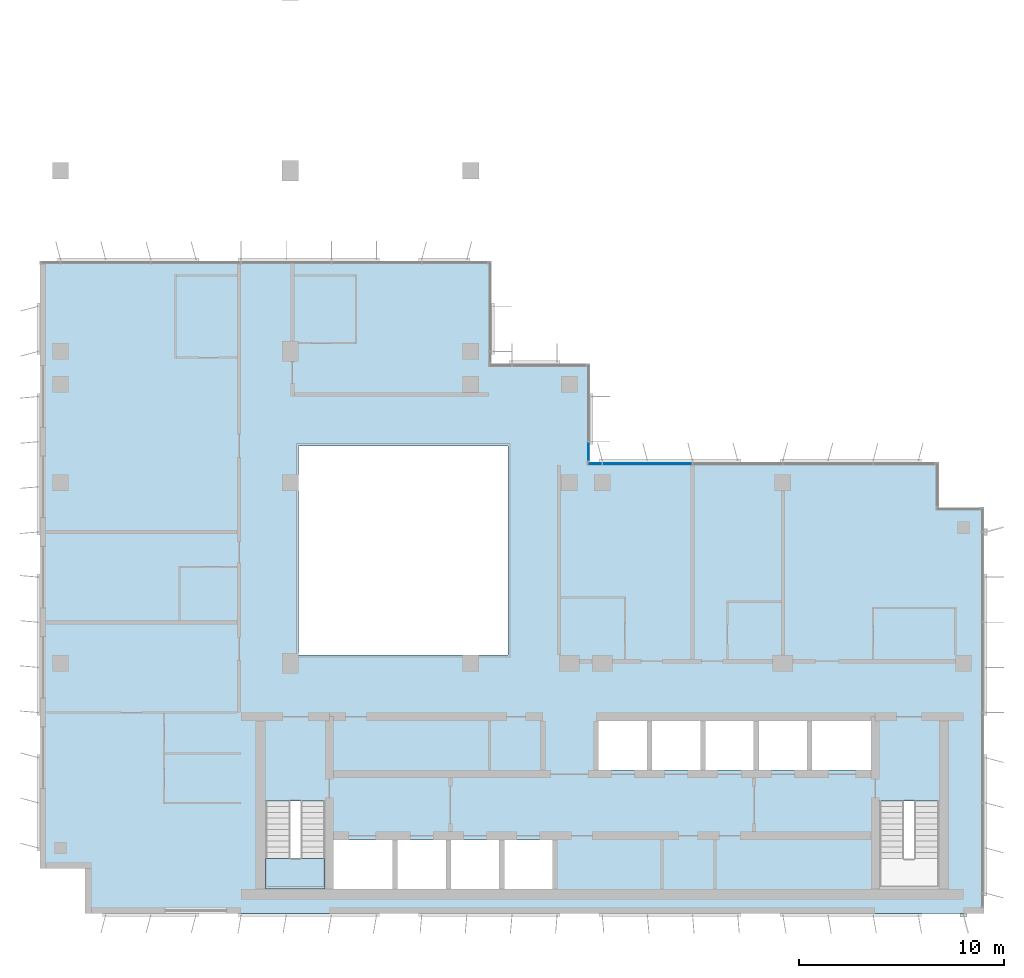
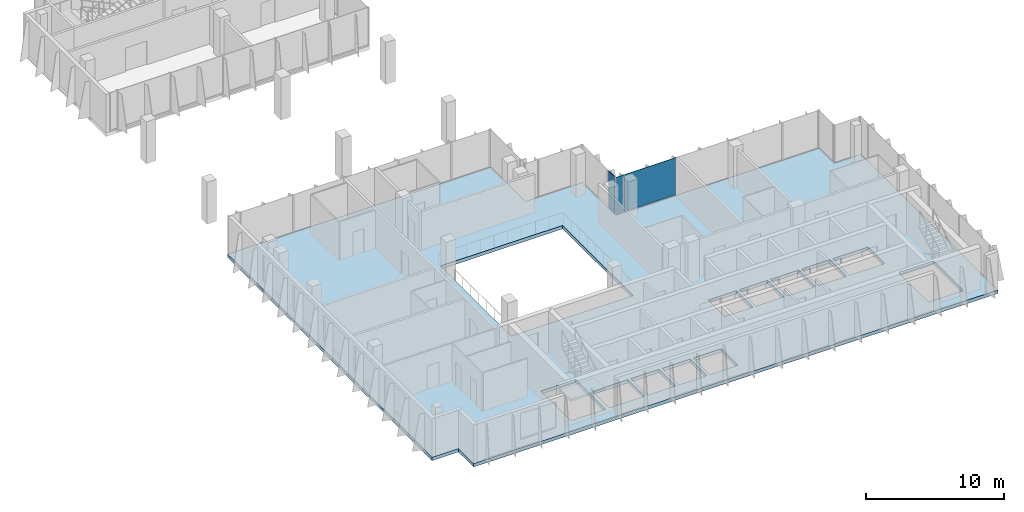
# One storey, part 6 of 14: 3 plates, 2 slabs, 3 elements without a shape of their own.
"""IFC4 building model written with IfcOpenShell, lengths in metres."""

from ifc_helpers import new_model, si_unit, direction, frame, origin, origin_2d, place, context, subcontext, project, spatial, polyline, rectangle, outline, extrude, source, transform, mapped, material, layer, layer_set, type_object, element, aggregate, save


model = new_model("IFC4")

# Units and contexts
model_context = context("Model", 3, precision=1e-05, world=origin(), true_north=direction((0.0, 1.0)))
body_context = subcontext(model_context, "Body", "Model", "MODEL_VIEW")
ifc_project = project(units=[si_unit("LENGTHUNIT", "METRE"), si_unit("AREAUNIT", "SQUARE_METRE"), si_unit("VOLUMEUNIT", "CUBIC_METRE"), si_unit("PLANEANGLEUNIT", "RADIAN"), si_unit("MASSUNIT", "GRAM", prefix="KILO")], contexts=[model_context])

# Site, building, storey
site_placement = place(None, origin())
site = spatial("IfcSite", under=ifc_project, at=site_placement, CompositionType="ELEMENT")
building_placement = place(site_placement, origin())
building = spatial("IfcBuilding", under=site, at=building_placement, Name="Kemantara Hotel Tower", CompositionType="ELEMENT")
storey_placement = place(building_placement, frame((0.0, 0.0, 245.0)))
storey = spatial("IfcBuildingStorey", under=building, at=storey_placement, Name="L61", CompositionType="ELEMENT", Elevation=245.0)

# Slab
ifc_material_1 = material(Name="Concrete fc 40 MPa", Category="concrete")
ifc_layer_1 = layer(ifc_material_1, 0.300048828125)
ifc_layer_set_1 = layer_set([ifc_layer_1], Name="Concrete fc 40 MPa")
slab_type_1 = type_object("IfcSlabType", Name="POST-TENSIONED FLAT PLATE 300", PredefinedType="FLOOR", material=ifc_layer_set_1)
slab_1_placement = place(storey_placement, frame((0.0, 0.0, -0.300048828125)))
element("IfcSlab", 1, at=slab_1_placement, inside=storey, type_object=slab_type_1, Name="FLOOR SLAB L61", PredefinedType="FLOOR", context=body_context, shape_type="SweptSolid", body=[
    extrude(outline(polyline([(26.800048828125, 22.0), (26.800048828125, 26.800048828125), (22.0, 26.800048828125), (22.0, 31.800048828125), (0.0, 31.800048828125), (0.0, 2.199951171875), (2.199951171875, 2.199951171875), (2.199951171875, 0.0), (46.0, 0.0), (46.0, 19.800048828125), (43.800048828125, 19.800048828125), (43.800048828125, 22.0), (26.800048828125, 22.0)]), holes=[polyline([(17.175048828125, 3.60009765625), (17.175048828125, 1.199951171875), (14.22509765625, 1.199951171875), (14.22509765625, 3.60009765625), (17.175048828125, 3.60009765625)]), polyline([(19.77490234375, 1.199951171875), (17.425048828125, 1.199951171875), (17.425048828125, 3.60009765625), (19.77490234375, 3.60009765625), (19.77490234375, 1.199951171875)]), polyline([(22.375, 1.199951171875), (20.02490234375, 1.199951171875), (20.02490234375, 3.60009765625), (22.375, 3.60009765625), (22.375, 1.199951171875)]), polyline([(24.97509765625, 3.60009765625), (24.97509765625, 1.199951171875), (22.625, 1.199951171875), (22.625, 3.60009765625), (24.97509765625, 3.60009765625)]), polyline([(11.0, 1.199951171875), (11.0, 5.49951171875), (13.89990234375, 5.49951171875), (13.89990234375, 1.199951171875), (11.0, 1.199951171875)]), polyline([(22.800048828125, 12.60009765625), (12.60009765625, 12.60009765625), (12.60009765625, 22.800048828125), (22.800048828125, 22.800048828125), (22.800048828125, 12.60009765625)]), polyline([(40.89990234375, 1.199951171875), (40.89990234375, 5.49951171875), (43.800048828125, 5.49951171875), (43.800048828125, 1.199951171875), (40.89990234375, 1.199951171875)]), polyline([(29.574951171875, 7.0), (27.22509765625, 7.0), (27.22509765625, 9.39990234375), (29.574951171875, 9.39990234375), (29.574951171875, 7.0)]), polyline([(32.175048828125, 7.0), (29.824951171875, 7.0), (29.824951171875, 9.39990234375), (32.175048828125, 9.39990234375), (32.175048828125, 7.0)]), polyline([(34.77490234375, 7.0), (32.425048828125, 7.0), (32.425048828125, 9.39990234375), (34.77490234375, 9.39990234375), (34.77490234375, 7.0)]), polyline([(37.375, 7.0), (35.02490234375, 7.0), (35.02490234375, 9.39990234375), (37.375, 9.39990234375), (37.375, 7.0)]), polyline([(40.574951171875, 7.0), (37.625, 7.0), (37.625, 9.39990234375), (40.574951171875, 9.39990234375), (40.574951171875, 7.0)])]), origin(), (0.0, 0.0, 1.0), 0.300048828125),
])

# Stair, slab
stair_type = type_object("IfcStairType", Name="Stair 1200 wide 22 risers of 168 x 280 mm", PredefinedType="HALF_TURN_STAIR", material=ifc_material_1)
stair_placement = place(storey_placement, origin())
stair = element("IfcStair", 2, at=stair_placement, inside=storey, type_object=stair_type, Name="L61 Exit stair ST1", PredefinedType="HALF_TURN_STAIR")
ifc_layer_2 = layer(ifc_material_1, 0.199951171875)
ifc_layer_set_2 = layer_set([ifc_layer_2], Name="Concrete fc 40 MPa")
slab_type_2 = type_object("IfcSlabType", Name="Stair landing 200 mm", PredefinedType="LANDING", material=ifc_layer_set_2)
slab_2_placement = place(storey_placement, frame((0.0, 0.0, 1.64990234375)))
slab_2 = element("IfcSlab", 3, at=slab_2_placement, type_object=slab_type_2, Name="ST1 landing 1", PredefinedType="LANDING", context=body_context, shape_type="SweptSolid", body=[
    extrude(outline(polyline([(11.0, 2.699951171875), (11.0, 1.199951171875), (13.89990234375, 1.199951171875), (13.89990234375, 2.699951171875), (11.0, 2.699951171875)])), origin(), (0.0, 0.0, 1.0), 0.2001953125),
])
aggregate(stair, [slab_2])

# Curtain wall, plates
ifc_material_2 = material(Name="Low-E tinted double insulated glass 36 mm", Category="glass")
curtain_wall_type = type_object("IfcCurtainWallType", Name="TOWER CURTAIN WALL, FRONT FACES", PredefinedType="USERDEFINED", material=ifc_material_2)
curtain_wall_1_placement = place(storey_placement, origin())
curtain_wall_1 = element("IfcCurtainWall", 4, at=curtain_wall_1_placement, inside=storey, type_object=curtain_wall_type, Name="CW4 L61 T4P-R09-1", ObjectType="TOWER CURTAIN WALL, FRONT FACES", PredefinedType="USERDEFINED")
ifc_layer_3 = layer(ifc_material_2, 0.035888671875)
ifc_layer_set_3 = layer_set([ifc_layer_3], Name="Low-E tinted double insulated glass 36 mm")
plate_type = type_object("IfcPlateType", Name="TOWER CURTAIN WALL, FRONT FACES PANEL", PredefinedType="CURTAIN_PANEL", material=ifc_layer_set_3)
shared_shape_1 = source(origin(), body_context, "Body", "SweptSolid", [
    extrude(rectangle(XDim=4.340087890625, YDim=0.035888671875, at=origin_2d()), origin(), (0.0, 0.0, 1.0), 3.280029296875),
])
plate_1_placement = place(storey_placement, frame((29.60009765625, 21.925048828125, 0.1201171875), z_axis=(0.0, 0.0, 1.0), x_axis=(-1.0, 0.0, 0.0)))
plate_1 = element("IfcPlate", 5, at=plate_1_placement, type_object=plate_type, Name="CW4 glass panel T4P-R09-1.4", PredefinedType="CURTAIN_PANEL", context=body_context, shape_type="MappedRepresentation", body=[
    mapped(shared_shape_1, transform((0.0, 0.0, 0.0))),
])
shared_shape_2 = source(origin(), body_context, "Body", "SweptSolid", [
    extrude(rectangle(XDim=0.659912109375, YDim=0.035888671875, at=origin_2d()), origin(), (0.0, 0.0, 1.0), 3.280029296875),
])
plate_2_placement = place(storey_placement, frame((27.0400390625, 21.925048828125, 0.1201171875), z_axis=(0.0, 0.0, 1.0), x_axis=(-1.0, 0.0, 0.0)))
plate_2 = element("IfcPlate", 6, at=plate_2_placement, type_object=plate_type, Name="CW4 glass panel T4P-R09-1.5", PredefinedType="CURTAIN_PANEL", context=body_context, shape_type="MappedRepresentation", body=[
    mapped(shared_shape_2, transform((0.0, 0.0, 0.0))),
])
aggregate(curtain_wall_1, [plate_1, plate_2])

# Curtain wall, plate
curtain_wall_2_placement = place(storey_placement, origin())
curtain_wall_2 = element("IfcCurtainWall", 7, at=curtain_wall_2_placement, inside=storey, type_object=curtain_wall_type, Name="CW4 L61 T4P-R10-1", ObjectType="TOWER CURTAIN WALL, FRONT FACES", PredefinedType="USERDEFINED")
shared_shape_3 = source(origin(), body_context, "Body", "SweptSolid", [
    extrude(rectangle(XDim=0.909912109375, YDim=0.035888671875, at=origin_2d()), origin(), (0.0, 0.0, 1.0), 3.280029296875),
])
plate_3_placement = place(storey_placement, frame((26.72509765625, 22.514892578125, 0.1201171875), z_axis=(0.0, 0.0, 1.0), x_axis=(0.0, 1.0, 0.0)))
plate_3 = element("IfcPlate", 8, at=plate_3_placement, type_object=plate_type, Name="CW4 glass panel T4P-R10-1.1", PredefinedType="CURTAIN_PANEL", context=body_context, shape_type="MappedRepresentation", body=[
    mapped(shared_shape_3, transform((0.0, 0.0, 0.0))),
])
aggregate(curtain_wall_2, [plate_3])

save(model, "model.ifc")
